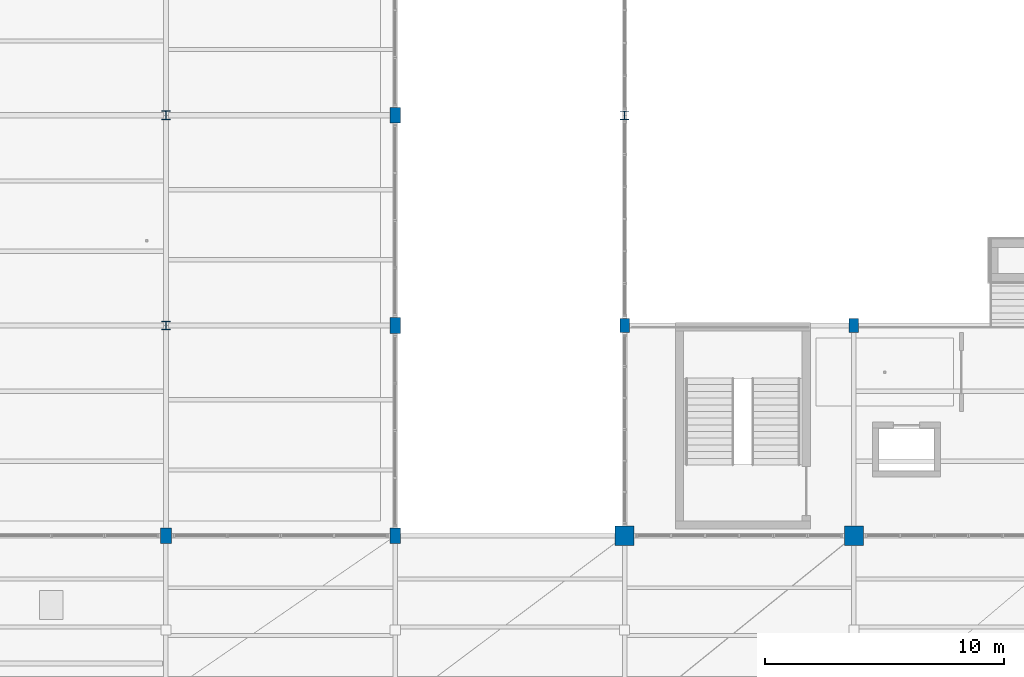
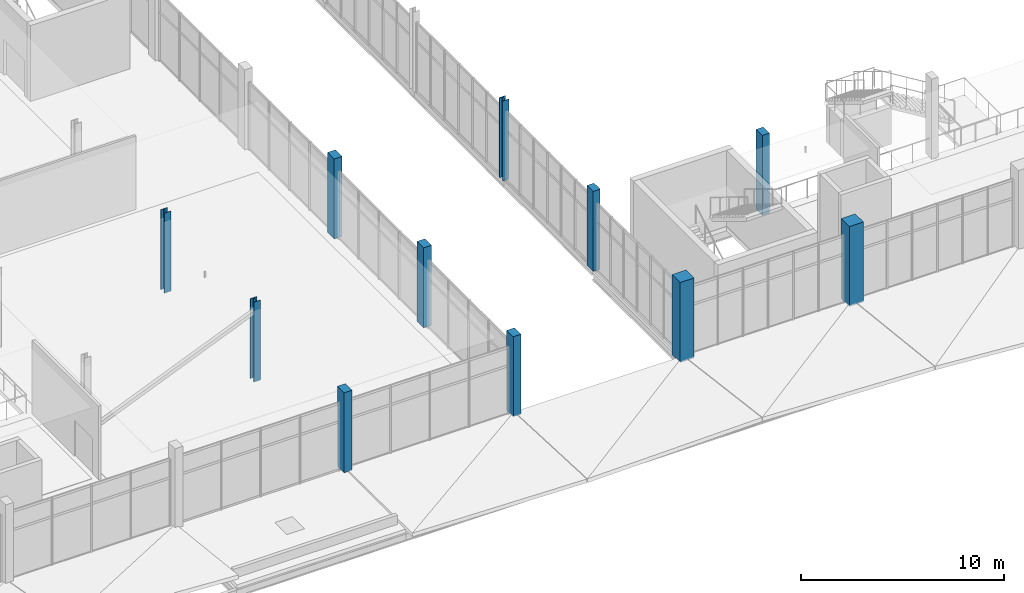
# One storey, part 2 of 157: 11 columns.
"""IFC4 building model written with IfcOpenShell, lengths in metres."""

from ifc_helpers import new_model, si_unit, direction, frame, origin, origin_2d, place, context, subcontext, project, spatial, rectangle, i_section, extrude, material, material_profile, profile_set, type_object, element, save


model = new_model("IFC4")

# Units and contexts
model_context = context("Model", 3, precision=1e-05, world=origin(), true_north=direction((0.0, 1.0)))
body_context = subcontext(model_context, "Body", "Model", "MODEL_VIEW")
ifc_project = project(units=[si_unit("LENGTHUNIT", "METRE"), si_unit("AREAUNIT", "SQUARE_METRE"), si_unit("VOLUMEUNIT", "CUBIC_METRE"), si_unit("PLANEANGLEUNIT", "RADIAN"), si_unit("MASSUNIT", "GRAM", prefix="KILO")], contexts=[model_context])

# Site, building, storey
site_placement = place(None, origin())
site = spatial("IfcSite", under=ifc_project, at=site_placement, CompositionType="ELEMENT")
building_placement = place(site_placement, origin())
building = spatial("IfcBuilding", under=site, at=building_placement, Name="Chalmorin Arch Market", CompositionType="ELEMENT")
storey_placement = place(building_placement, frame((0.0, 0.0, 4.800048828125)))
storey = spatial("IfcBuildingStorey", under=building, at=storey_placement, Name="L01", CompositionType="ELEMENT", Elevation=4.800048828125)

# Columns
ifc_material_1 = material(Name="Concrete C50/60", Category="concrete")
ifc_material_profile_1 = material_profile(ifc_material_1, rectangle(XDim=0.800048828125, YDim=0.800048828125, at=origin_2d()), Name="RC800X800")
ifc_profile_set_1 = profile_set([ifc_material_profile_1], Name="Concrete C50/60")
column_type_1 = type_object("IfcColumnType", Name="ArchPierColumn-800x800", PredefinedType="COLUMN", material=ifc_profile_set_1)
for number, where, z_axis, x_axis, name in (
    (1, (48.0, 6.0, 0.0), (0.0, 0.0, 1.0), (1.0, 0.0, 0.0), "C-AP1-192"),
    (2, (57.60009765625, 6.0, 0.0), (0.0, 0.0, 1.0), (1.0, 0.0, 0.0), "C-AP1-259"),
):
    element("IfcColumn", number, at=place(storey_placement, frame(where, z_axis=z_axis, x_axis=x_axis)), inside=storey, type_object=column_type_1, Name=name, PredefinedType="COLUMN", context=body_context, shape_type="SweptSolid", body=[
        extrude(rectangle(XDim=0.800048828125, YDim=0.800048828125, at=origin_2d()), origin(), (0.0, 0.0, 1.0), 4.800048828125),
    ])
ifc_material_2 = material(Name="Concrete C40/50", Category="concrete")
ifc_material_profile_2 = material_profile(ifc_material_2, rectangle(XDim=0.39990234375, YDim=0.60009765625, at=origin_2d()), Name="RC400X600")
ifc_profile_set_2 = profile_set([ifc_material_profile_2], Name="Concrete C40/50")
column_type_2 = type_object("IfcColumnType", Name="GalleryConcreteColumn-400x600", PredefinedType="COLUMN", material=ifc_profile_set_2)
for number, where, z_axis, x_axis, name in (
    (3, (48.0, 14.800048828125, 0.0), (0.0, 0.0, 1.0), (1.0, 0.0, 0.0), "C-RC5-197"),
    (4, (57.60009765625, 14.800048828125, 0.0), (0.0, 0.0, 1.0), (1.0, 0.0, 0.0), "C-RC5-264"),
):
    element("IfcColumn", number, at=place(storey_placement, frame(where, z_axis=z_axis, x_axis=x_axis)), inside=storey, type_object=column_type_2, Name=name, PredefinedType="COLUMN", context=body_context, shape_type="SweptSolid", body=[
        extrude(rectangle(XDim=0.39990234375, YDim=0.60009765625, at=origin_2d()), origin(), (0.0, 0.0, 1.0), 4.800048828125),
    ])
ifc_material_3 = material(Name="Steel A992 Grade 50", Category="steel")
ifc_material_profile_3 = material_profile(ifc_material_3, i_section(OverallWidth=0.367919921875, OverallDepth=0.367919921875, WebThickness=0.014892578125, FlangeThickness=0.02392578125, FilletRadius=0.02490234375, at=origin_2d()), Name="W14X120")
ifc_profile_set_3 = profile_set([ifc_material_profile_3], Name="Steel A992 Grade 50")
column_type_3 = type_object("IfcColumnType", Name="WideFlangeColumn-W14X120", PredefinedType="COLUMN", material=ifc_profile_set_3)
for number, where, z_axis, x_axis, name in (
    (5, (28.800048828125, 14.800048828125, 0.0), (0.0, 0.0, 1.0), (1.0, 0.0, 0.0), "C-ST1-121"),
    (6, (28.800048828125, 23.60009765625, 0.0), (0.0, 0.0, 1.0), (1.0, 0.0, 0.0), "C-ST1-125"),
):
    element("IfcColumn", number, at=place(storey_placement, frame(where, z_axis=z_axis, x_axis=x_axis)), inside=storey, type_object=column_type_3, Name=name, PredefinedType="COLUMN", context=body_context, shape_type="SweptSolid", body=[
        extrude(i_section(OverallWidth=0.367919921875, OverallDepth=0.367919921875, WebThickness=0.014892578125, FlangeThickness=0.02392578125, FilletRadius=0.02490234375, at=origin_2d()), origin(), (0.0, 0.0, 1.0), 4.800048828125),
    ])
ifc_material_profile_4 = material_profile(ifc_material_3, i_section(OverallWidth=0.35595703125, OverallDepth=0.35595703125, WebThickness=0.01123046875, FlangeThickness=0.01806640625, FilletRadius=0.02490234375, at=origin_2d()), Name="W14X90")
ifc_profile_set_4 = profile_set([ifc_material_profile_4], Name="Steel A992 Grade 50")
column_type_4 = type_object("IfcColumnType", Name="WideFlangeColumn-W14X90", PredefinedType="COLUMN", material=ifc_profile_set_4)
column_placement = place(storey_placement, frame((48.0, 23.60009765625, 0.0), z_axis=(0.0, 0.0, 1.0), x_axis=(1.0, 0.0, 0.0)))
element("IfcColumn", 7, at=column_placement, inside=storey, type_object=column_type_4, Name="C-ST2-202", PredefinedType="COLUMN", context=body_context, shape_type="SweptSolid", body=[
    extrude(i_section(OverallWidth=0.35595703125, OverallDepth=0.35595703125, WebThickness=0.01123046875, FlangeThickness=0.01806640625, FilletRadius=0.02490234375, at=origin_2d()), origin(), (0.0, 0.0, 1.0), 4.800048828125),
])
ifc_material_profile_5 = material_profile(ifc_material_2, rectangle(XDim=0.449951171875, YDim=0.64990234375, at=origin_2d()), Name="RC450X650")
ifc_profile_set_5 = profile_set([ifc_material_profile_5], Name="Concrete C40/50")
column_type_5 = type_object("IfcColumnType", Name="WingConcreteColumn-450x650", PredefinedType="COLUMN", material=ifc_profile_set_5)
for number, where, z_axis, x_axis, name in (
    (8, (28.800048828125, 6.0, 0.0), (0.0, 0.0, 1.0), (1.0, 0.0, 0.0), "C-RC4-118"),
    (9, (38.39990234375, 6.0, 0.0), (0.0, 0.0, 1.0), (1.0, 0.0, 0.0), "C-RC4-155"),
    (10, (38.39990234375, 14.800048828125, 0.0), (0.0, 0.0, 1.0), (1.0, 0.0, 0.0), "C-RC4-158"),
    (11, (38.39990234375, 23.60009765625, 0.0), (0.0, 0.0, 1.0), (1.0, 0.0, 0.0), "C-RC4-162"),
):
    element("IfcColumn", number, at=place(storey_placement, frame(where, z_axis=z_axis, x_axis=x_axis)), inside=storey, type_object=column_type_5, Name=name, PredefinedType="COLUMN", context=body_context, shape_type="SweptSolid", body=[
        extrude(rectangle(XDim=0.449951171875, YDim=0.64990234375, at=origin_2d()), origin(), (0.0, 0.0, 1.0), 4.800048828125),
    ])

save(model, "model.ifc")
